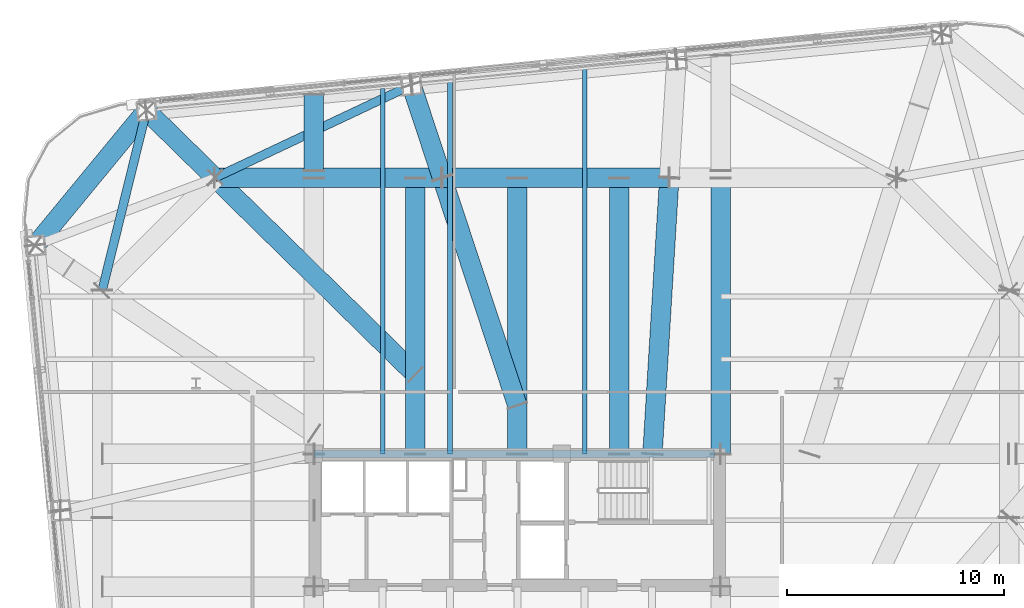
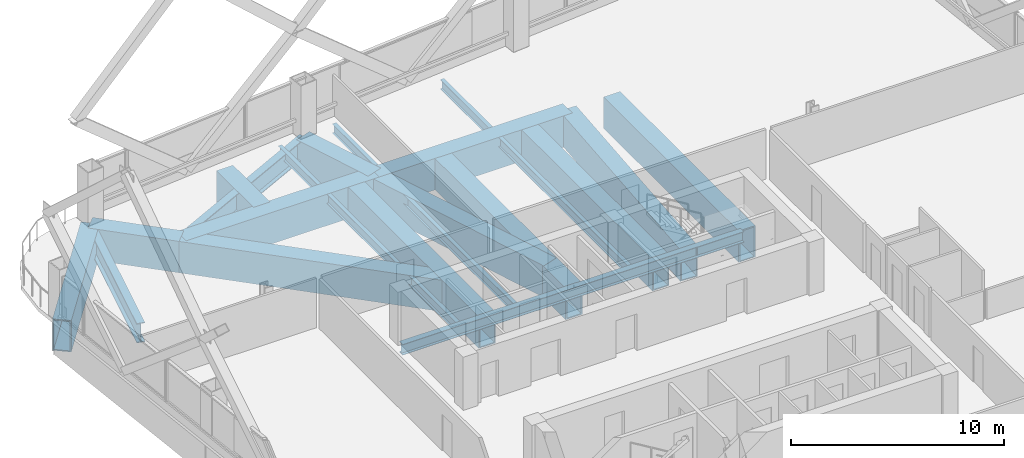
# One storey, part 25 of 42: 19 beams.
"""IFC4 building model written with IfcOpenShell, lengths in metres."""

from ifc_helpers import new_model, si_unit, direction, frame, origin, origin_2d, place, context, subcontext, project, spatial, hollow_rectangle, i_section, extrude, material, material_profile, profile_set, type_object, element, save


model = new_model("IFC4")

# Units and contexts
model_context = context("Model", 3, precision=1e-05, world=origin(), true_north=direction((0.0, 1.0)))
body_context = subcontext(model_context, "Body", "Model", "MODEL_VIEW")
ifc_project = project(units=[si_unit("LENGTHUNIT", "METRE"), si_unit("AREAUNIT", "SQUARE_METRE"), si_unit("VOLUMEUNIT", "CUBIC_METRE"), si_unit("PLANEANGLEUNIT", "RADIAN"), si_unit("MASSUNIT", "GRAM", prefix="KILO")], contexts=[model_context])

# Site, building, storey
site_placement = place(None, origin())
site = spatial("IfcSite", under=ifc_project, at=site_placement, CompositionType="ELEMENT")
building_placement = place(site_placement, origin())
building = spatial("IfcBuilding", under=site, at=building_placement, Name="Qhalaya Broadcast Tower", CompositionType="ELEMENT")
storey_placement = place(building_placement, frame((0.0, 0.0, 69.449951171875)))
storey = spatial("IfcBuildingStorey", under=building, at=storey_placement, Name="L19", CompositionType="ELEMENT", Elevation=69.449951171875)

# Beams
ifc_material_1 = material(Name="Structural Steel ASTM A572 Grade 50", Category="steel")
ifc_material_profile_1 = material_profile(ifc_material_1, hollow_rectangle(XDim=0.89990234375, YDim=1.800048828125, WallThickness=0.06005859375, at=origin_2d()), Name="BOX 900x1800x60")
ifc_profile_set_1 = profile_set([ifc_material_profile_1], Name="Structural Steel ASTM A572 Grade 50")
beam_type_1 = type_object("IfcBeamType", Name="Block Cantilever Transfer Box Girder TG1", PredefinedType="USERDEFINED", material=ifc_profile_set_1)
beam_1_placement = place(storey_placement, frame((-17.085205078125, 25.765380859375, -1.119873046875), z_axis=(-0.636085107008, -0.771618906354, 0.0), x_axis=(0.771618906354, -0.636085107008, 0.0)))
element("IfcBeam", 1, at=beam_1_placement, inside=storey, type_object=beam_type_1, Name="L19 TG1 L19-SPR-12", ObjectType="GIRDER", PredefinedType="USERDEFINED", context=body_context, shape_type="SweptSolid", body=[
    extrude(hollow_rectangle(XDim=0.89990234375, YDim=1.800048828125, WallThickness=0.06005859375, at=origin_2d()), origin(), (0.0, 0.0, 1.0), 8.06103515625),
])
beam_2_placement = place(storey_placement, frame((7.00341796875, 22.669921875, -1.119873046875), z_axis=(-1.0, 0.0, 0.0), x_axis=(0.0, -1.0, 0.0)))
element("IfcBeam", 2, at=beam_2_placement, inside=storey, type_object=beam_type_1, Name="L19 TG1 L19-TGL-10", ObjectType="GIRDER", PredefinedType="USERDEFINED", context=body_context, shape_type="SweptSolid", body=[
    extrude(hollow_rectangle(XDim=0.89990234375, YDim=1.800048828125, WallThickness=0.06005859375, at=origin_2d()), origin(), (0.0, 0.0, 1.0), 10.466796875),
])
beam_3_placement = place(storey_placement, frame((-3.46337890625, 22.669921875, -1.119873046875), z_axis=(-1.0, 0.0, 0.0), x_axis=(0.0, -1.0, 0.0)))
element("IfcBeam", 3, at=beam_3_placement, inside=storey, type_object=beam_type_1, Name="L19 TG1 L19-TGL-11", ObjectType="GIRDER", PredefinedType="USERDEFINED", context=body_context, shape_type="SweptSolid", body=[
    extrude(hollow_rectangle(XDim=0.89990234375, YDim=1.800048828125, WallThickness=0.06005859375, at=origin_2d()), origin(), (0.0, 0.0, 1.0), 10.466552734375),
])
for number, where, z_axis, x_axis, name in (
    (4, (9.375, 9.949951171875, -1.119873046875), (0.0, 1.0, 0.0), (-1.0, 0.0, 0.0), "L19 TG1 L19-TGINE-1"),
    (5, (0.0, 9.949951171875, -1.119873046875), (0.0, 1.0, 0.0), (-1.0, 0.0, 0.0), "L19 TG1 L19-TGIMN-1"),
    (6, (-4.699951171875, 9.949951171875, -1.119873046875), (0.0, 1.0, 0.0), (-1.0, 0.0, 0.0), "L19 TG1 L19-TGIMNW-1"),
    (7, (4.699951171875, 9.949951171875, -1.119873046875), (0.0, 1.0, 0.0), (-1.0, 0.0, 0.0), "L19 TG1 L19-TGIMNE-1"),
):
    element("IfcBeam", number, at=place(storey_placement, frame(where, z_axis=z_axis, x_axis=x_axis)), inside=storey, type_object=beam_type_1, Name=name, ObjectType="GIRDER", PredefinedType="USERDEFINED", context=body_context, shape_type="SweptSolid", body=[
        extrude(hollow_rectangle(XDim=0.89990234375, YDim=1.800048828125, WallThickness=0.06005859375, at=origin_2d()), origin(), (0.0, 0.0, 1.0), 12.679931640625),
    ])
beam_4_placement = place(storey_placement, frame((6.228271484375, 9.949951171875, -1.119873046875), z_axis=(0.060826491355, 0.998148354679, 0.0), x_axis=(-0.998148354679, 0.060826491355, 0.0)))
element("IfcBeam", 8, at=beam_4_placement, inside=storey, type_object=beam_type_1, Name="L19 Collinear Back-Span Transfer Box Girder 10", ObjectType="GIRDER", PredefinedType="USERDEFINED", context=body_context, shape_type="SweptSolid", body=[
    extrude(hollow_rectangle(XDim=0.89990234375, YDim=1.800048828125, WallThickness=0.06005859375, at=origin_2d()), origin(), (0.0, 0.0, 1.0), 12.74365234375),
])
beam_5_placement = place(storey_placement, frame((0.0, 12.19140625, -1.119873046875), z_axis=(-0.313824290572, 0.949481076508, 0.0), x_axis=(-0.949481076508, -0.313824290572, 0.0)))
element("IfcBeam", 9, at=beam_5_placement, inside=storey, type_object=beam_type_1, Name="L19 Collinear Back-Span Transfer Box Girder 11", ObjectType="GIRDER", PredefinedType="USERDEFINED", context=body_context, shape_type="SweptSolid", body=[
    extrude(hollow_rectangle(XDim=0.89990234375, YDim=1.800048828125, WallThickness=0.06005859375, at=origin_2d()), origin(), (0.0, 0.0, 1.0), 11.0361328125),
])
beam_6_placement = place(storey_placement, frame((-3.46337890625, 22.669921875, -1.119873046875), z_axis=(-0.313800773143, 0.94948884921, 0.0), x_axis=(-0.94948884921, -0.313800773143, 0.0)))
element("IfcBeam", 10, at=beam_6_placement, inside=storey, type_object=beam_type_1, Name="L19 Cantilever Transfer Box Girder 11", ObjectType="GIRDER", PredefinedType="USERDEFINED", context=body_context, shape_type="SweptSolid", body=[
    extrude(hollow_rectangle(XDim=0.89990234375, YDim=1.800048828125, WallThickness=0.06005859375, at=origin_2d()), origin(), (0.0, 0.0, 1.0), 4.49853515625),
])
beam_7_placement = place(storey_placement, frame((-4.699951171875, 13.614501953125, -1.119873046875), z_axis=(-0.713824610006, 0.700324514885, 0.0), x_axis=(-0.700324514885, -0.713824610006, 0.0)))
element("IfcBeam", 11, at=beam_7_placement, inside=storey, type_object=beam_type_1, Name="L19 Collinear Back-Span Transfer Box Girder 12", ObjectType="GIRDER", PredefinedType="USERDEFINED", context=body_context, shape_type="SweptSolid", body=[
    extrude(hollow_rectangle(XDim=0.89990234375, YDim=1.800048828125, WallThickness=0.06005859375, at=origin_2d()), origin(), (0.0, 0.0, 1.0), 12.930419921875),
])
beam_8_placement = place(storey_placement, frame((-13.929931640625, 22.669921875, -1.119873046875), z_axis=(-0.713840538878, 0.700308278585, 0.0), x_axis=(-0.700308278585, -0.713840538878, 0.0)))
element("IfcBeam", 12, at=beam_8_placement, inside=storey, type_object=beam_type_1, Name="L19 Cantilever Transfer Box Girder 12", ObjectType="GIRDER", PredefinedType="USERDEFINED", context=body_context, shape_type="SweptSolid", body=[
    extrude(hollow_rectangle(XDim=0.89990234375, YDim=1.800048828125, WallThickness=0.06005859375, at=origin_2d()), origin(), (0.0, 0.0, 1.0), 4.420166015625),
])
beam_9_placement = place(storey_placement, frame((-9.375, 23.010009765625, -1.119873046875), z_axis=(0.0, 1.0, 0.0), x_axis=(-1.0, 0.0, 0.0)))
element("IfcBeam", 13, at=beam_9_placement, inside=storey, type_object=beam_type_1, Name="L19 TG1 L19-PGXN1-OV1", ObjectType="GIRDER", PredefinedType="USERDEFINED", context=body_context, shape_type="SweptSolid", body=[
    extrude(hollow_rectangle(XDim=0.89990234375, YDim=1.800048828125, WallThickness=0.06005859375, at=origin_2d()), origin(), (0.0, 0.0, 1.0), 3.477783203125),
])
ifc_material_2 = material(Name="Structural Steel ASTM A992 Grade 50", Category="steel")
ifc_material_profile_2 = material_profile(ifc_material_2, i_section(OverallWidth=0.2099609375, OverallDepth=0.535888671875, WebThickness=0.010986328125, FlangeThickness=0.017333984375, at=origin_2d()), Name="W21X68")
ifc_profile_set_2 = profile_set([ifc_material_profile_2], Name="Structural Steel ASTM A992 Grade 50")
beam_type_2 = type_object("IfcBeamType", Name="Composite Floor Joist J02", PredefinedType="JOIST", material=ifc_profile_set_2)
beam_10_placement = place(storey_placement, frame((-6.199951171875, 9.949951171875, -0.488037109375), z_axis=(0.0, 1.0, 0.0), x_axis=(-1.0, 0.0, 0.0)))
element("IfcBeam", 14, at=beam_10_placement, inside=storey, type_object=beam_type_2, Name="L19 J02 L19-JNN1-1", PredefinedType="JOIST", context=body_context, shape_type="SweptSolid", body=[
    extrude(i_section(OverallWidth=0.2099609375, OverallDepth=0.535888671875, WebThickness=0.010986328125, FlangeThickness=0.017333984375, at=origin_2d()), origin(), (0.0, 0.0, 1.0), 16.843505859375),
])
beam_11_placement = place(storey_placement, frame((-3.10009765625, 9.949951171875, -0.488037109375), z_axis=(0.0, 1.0, 0.0), x_axis=(-1.0, 0.0, 0.0)))
element("IfcBeam", 15, at=beam_11_placement, inside=storey, type_object=beam_type_2, Name="L19 J02 L19-JNN2-1", PredefinedType="JOIST", context=body_context, shape_type="SweptSolid", body=[
    extrude(i_section(OverallWidth=0.2099609375, OverallDepth=0.535888671875, WebThickness=0.010986328125, FlangeThickness=0.017333984375, at=origin_2d()), origin(), (0.0, 0.0, 1.0), 17.14208984375),
])
beam_12_placement = place(storey_placement, frame((3.10009765625, 9.949951171875, -0.488037109375), z_axis=(0.0, 1.0, 0.0), x_axis=(-1.0, 0.0, 0.0)))
element("IfcBeam", 16, at=beam_12_placement, inside=storey, type_object=beam_type_2, Name="L19 J02 L19-JNN4-1", PredefinedType="JOIST", context=body_context, shape_type="SweptSolid", body=[
    extrude(i_section(OverallWidth=0.2099609375, OverallDepth=0.535888671875, WebThickness=0.010986328125, FlangeThickness=0.017333984375, at=origin_2d()), origin(), (0.0, 0.0, 1.0), 17.739013671875),
])
ifc_material_profile_3 = material_profile(ifc_material_2, i_section(OverallWidth=0.323974609375, OverallDepth=0.612060546875, WebThickness=0.0126953125, FlangeThickness=0.01904296875, at=origin_2d()), Name="W24X104")
ifc_profile_set_3 = profile_set([ifc_material_profile_3], Name="Structural Steel ASTM A992 Grade 50")
beam_type_3 = type_object("IfcBeamType", Name="Core Frame Tie Beam B04", PredefinedType="BEAM", material=ifc_profile_set_3)
beam_13_placement = place(storey_placement, frame((-9.375, 9.949951171875, -0.52587890625), z_axis=(1.0, 0.0, 0.0), x_axis=(0.0, 1.0, 0.0)))
element("IfcBeam", 17, at=beam_13_placement, inside=storey, type_object=beam_type_3, Name="L19 B04 L19-CCN3", PredefinedType="BEAM", context=body_context, shape_type="SweptSolid", body=[
    extrude(i_section(OverallWidth=0.323974609375, OverallDepth=0.612060546875, WebThickness=0.0126953125, FlangeThickness=0.01904296875, at=origin_2d()), origin(), (0.0, 0.0, 1.0), 18.4951171875),
])
ifc_material_profile_4 = material_profile(ifc_material_2, i_section(OverallWidth=0.404052734375, OverallDepth=1.117919921875, WebThickness=0.026123046875, FlangeThickness=0.044921875, at=origin_2d()), Name="W44X335")
ifc_profile_set_4 = profile_set([ifc_material_profile_4], Name="Structural Steel ASTM A992 Grade 50")
beam_type_4 = type_object("IfcBeamType", Name="Podium Long-Span Primary Girder PG1", PredefinedType="USERDEFINED", material=ifc_profile_set_4)
beam_14_placement = place(storey_placement, frame((-13.929931640625, 22.669921875, -0.779052734375), z_axis=(0.904429817213, 0.426622439325, 0.0), x_axis=(-0.426622439325, 0.904429817213, 0.0)))
element("IfcBeam", 18, at=beam_14_placement, inside=storey, type_object=beam_type_4, Name="L19 Column-to-Column Moment Tie Girder 11-2", ObjectType="GIRDER", PredefinedType="USERDEFINED", context=body_context, shape_type="SweptSolid", body=[
    extrude(i_section(OverallWidth=0.404052734375, OverallDepth=1.117919921875, WebThickness=0.026123046875, FlangeThickness=0.044921875, at=origin_2d()), origin(), (0.0, 0.0, 1.0), 10.01171875),
])
beam_15_placement = place(storey_placement, frame((-19.1298828125, 17.469970703125, -0.779052734375), z_axis=(0.239320383185, 0.97094065431, 0.0), x_axis=(-0.97094065431, 0.239320383185, 0.0)))
element("IfcBeam", 19, at=beam_15_placement, inside=storey, type_object=beam_type_4, Name="L19 Column-to-Column Moment Tie Girder 12-2", ObjectType="GIRDER", PredefinedType="USERDEFINED", context=body_context, shape_type="SweptSolid", body=[
    extrude(i_section(OverallWidth=0.404052734375, OverallDepth=1.117919921875, WebThickness=0.026123046875, FlangeThickness=0.044921875, at=origin_2d()), origin(), (0.0, 0.0, 1.0), 8.543701171875),
])

save(model, "model.ifc")
